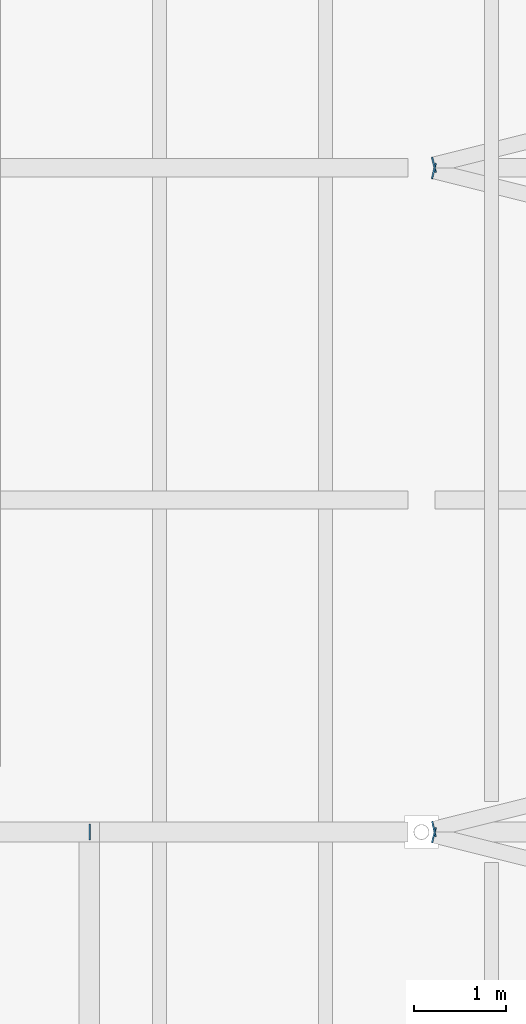
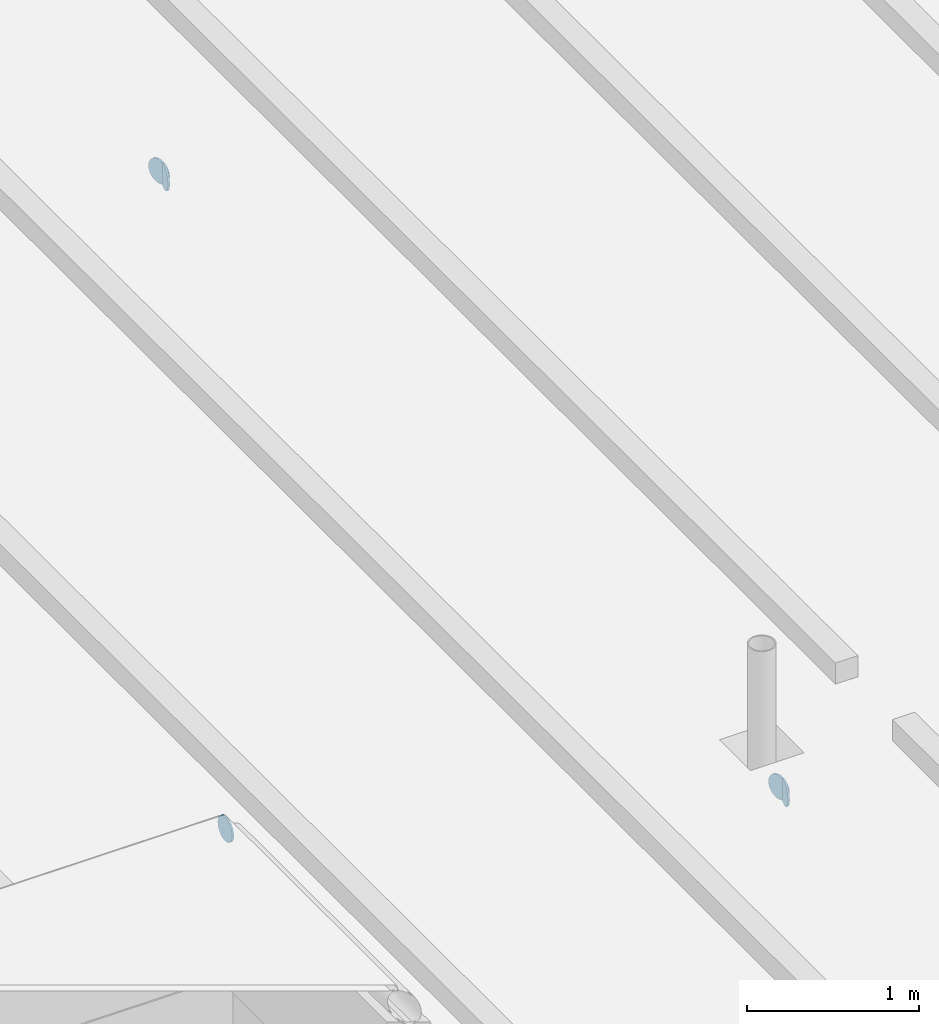
# One storey, part 75 of 120: 5 discrete accessories.
"""IFC4 building model written with IfcOpenShell, lengths in metres."""

from ifc_helpers import new_model, si_unit, direction, frame, origin, origin_2d, place, context, subcontext, project, spatial, circle, extrude, material, layer, layer_set, type_object, element, save


model = new_model("IFC4")

# Units and contexts
model_context = context("Model", 3, precision=1e-05, world=origin(), true_north=direction((0.0, 1.0)))
body_context = subcontext(model_context, "Body", "Model", "MODEL_VIEW")
ifc_project = project(units=[si_unit("LENGTHUNIT", "METRE"), si_unit("AREAUNIT", "SQUARE_METRE"), si_unit("VOLUMEUNIT", "CUBIC_METRE"), si_unit("PLANEANGLEUNIT", "RADIAN"), si_unit("MASSUNIT", "GRAM", prefix="KILO")], contexts=[model_context])

# Site, building, storey
site_placement = place(None, origin())
site = spatial("IfcSite", under=ifc_project, at=site_placement, CompositionType="ELEMENT")
building_placement = place(site_placement, origin())
building = spatial("IfcBuilding", under=site, at=building_placement, Name="Kupolbacken Congress Centre", CompositionType="ELEMENT")
storey_placement = place(building_placement, frame((0.0, 0.0, 21.60009765625)))
storey = spatial("IfcBuildingStorey", under=building, at=storey_placement, Name="L06", CompositionType="ELEMENT", Elevation=21.60009765625)

# Discrete accessories
ifc_material = material(Name="Steel S355", Category="steel")
ifc_layer = layer(ifc_material, 0.011962890625)
ifc_layer_set = layer_set([ifc_layer], Name="Steel S355")
discrete_accessory_type = type_object("IfcDiscreteAccessoryType", Name="EC2 tube end cap plate 168 dia x 12", PredefinedType="BRACKET", material=ifc_layer_set)
for number, where, z_axis, x_axis, name in (
    (1, (122.540771484375, 61.164794921875, -0.084228515625), (-0.970142500145, 0.242535625036, 0.0), (-0.242535625036, -0.970142500145, 0.0), "End cap plate HR/RB/03-04 B"),
    (2, (122.540771484375, 61.235107421875, -0.084228515625), (-0.974732318528, -0.223376156329, 0.0), (0.223376156329, -0.974732318528, 0.0), "End cap plate HR/RB/03-05 A"),
    (3, (122.540771484375, 68.36474609375, -0.084228515625), (-0.970142500145, 0.242535625036, 0.0), (-0.242535625036, -0.970142500145, 0.0), "End cap plate HR/RB/03-06 B"),
    (4, (122.540771484375, 68.435302734375, -0.084228515625), (-0.970142500145, -0.242535625036, 0.0), (0.242535625036, -0.970142500145, 0.0), "End cap plate HR/RB/03-07 A"),
    (5, (118.800048828125, 61.199951171875, 0.944091796875), (1.0, 0.0, 0.0), (0.0, 1.0, 0.0), "End cap plate RD/RL1/FN B"),
):
    element("IfcDiscreteAccessory", number, at=place(storey_placement, frame(where, z_axis=z_axis, x_axis=x_axis)), inside=storey, type_object=discrete_accessory_type, Name=name, PredefinedType="BRACKET", context=body_context, shape_type="SweptSolid", body=[
        extrude(circle(Radius=0.084228515625, at=origin_2d()), origin(), (0.0, 0.0, 1.0), 0.011962890625),
    ])

save(model, "model.ifc")
